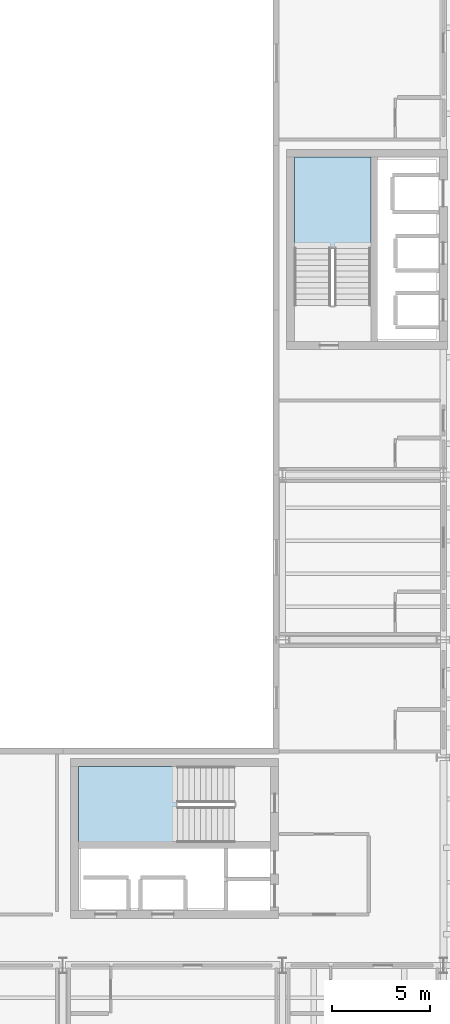
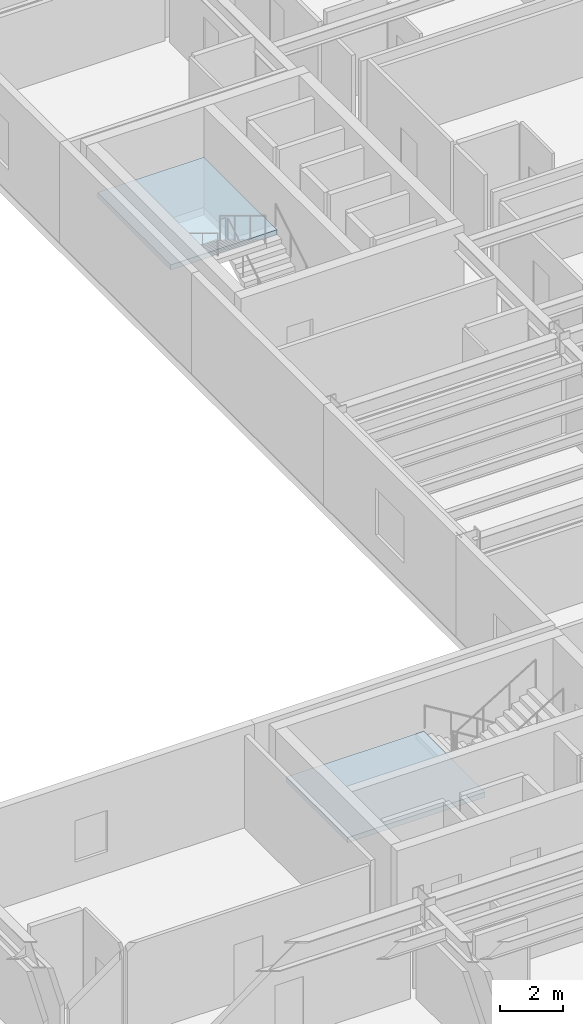
# One storey, part 28 of 59: 2 slabs, 2 elements without a shape of their own.
"""IFC4 building model written with IfcOpenShell, lengths in metres."""

from ifc_helpers import new_model, si_unit, direction, frame, origin, place, context, subcontext, project, spatial, polyline, outline, extrude, material, layer, layer_set, type_object, element, aggregate, save


model = new_model("IFC4")

# Units and contexts
model_context = context("Model", 3, precision=1e-05, world=origin(), true_north=direction((0.0, 1.0)))
body_context = subcontext(model_context, "Body", "Model", "MODEL_VIEW")
ifc_project = project(units=[si_unit("LENGTHUNIT", "METRE"), si_unit("AREAUNIT", "SQUARE_METRE"), si_unit("VOLUMEUNIT", "CUBIC_METRE"), si_unit("PLANEANGLEUNIT", "RADIAN"), si_unit("MASSUNIT", "GRAM", prefix="KILO")], contexts=[model_context])

# Site, building, storey
site_placement = place(None, origin())
site = spatial("IfcSite", under=ifc_project, at=site_placement, CompositionType="ELEMENT")
building_placement = place(site_placement, origin())
building = spatial("IfcBuilding", under=site, at=building_placement, Name="Sollismere Congress Hotel", CompositionType="ELEMENT")
storey_placement = place(building_placement, frame((0.0, 0.0, 15.60009765625)))
storey = spatial("IfcBuildingStorey", under=building, at=storey_placement, Name="L03", CompositionType="ELEMENT", Elevation=15.60009765625)

# Stair, slab
ifc_material = material(Name="Concrete C40/50", Category="concrete")
stair_type = type_object("IfcStairType", Name="STR-DL-390", PredefinedType="HALF_TURN_STAIR", material=ifc_material)
stair_1_placement = place(storey_placement, origin())
stair_1 = element("IfcStair", 1, at=stair_1_placement, inside=storey, type_object=stair_type, Name="Protected exit stair ST-01-L03", PredefinedType="HALF_TURN_STAIR")
ifc_layer = layer(ifc_material, 0.199951171875, Name="Concrete C40/50")
ifc_layer_set = layer_set([ifc_layer], Name="Concrete C40/50")
slab_type = type_object("IfcSlabType", Name="SL-LND200", PredefinedType="LANDING", material=ifc_layer_set)
slab_1_placement = place(storey_placement, frame((0.0, 0.0, 1.75)))
slab_1 = element("IfcSlab", 2, at=slab_1_placement, type_object=slab_type, Name="Exit stair half-landing ST-01-L03-L1", PredefinedType="LANDING", context=body_context, shape_type="SweptSolid", body=[
    extrude(outline(polyline([(141.85009765625, 18.35009765625), (136.800048828125, 18.35009765625), (136.800048828125, 14.449951171875), (141.85009765625, 14.449951171875), (141.85009765625, 18.35009765625)])), origin(), (0.0, 0.0, 1.0), 0.199951171875),
])
aggregate(stair_1, [slab_1])

stair_2_placement = place(storey_placement, origin())
stair_2 = element("IfcStair", 3, at=stair_2_placement, inside=storey, type_object=stair_type, Name="Protected exit stair ST-03-L03", PredefinedType="HALF_TURN_STAIR")
slab_2_placement = place(storey_placement, frame((0.0, 0.0, 1.75)))
slab_2 = element("IfcSlab", 4, at=slab_2_placement, type_object=slab_type, Name="Exit stair half-landing ST-03-L03-L1", PredefinedType="LANDING", context=body_context, shape_type="SweptSolid", body=[
    extrude(outline(polyline([(151.699951171875, 44.75), (151.699951171875, 49.39990234375), (147.800048828125, 49.39990234375), (147.800048828125, 44.75), (151.699951171875, 44.75)])), origin(), (0.0, 0.0, 1.0), 0.199951171875),
])
aggregate(stair_2, [slab_2])

save(model, "model.ifc")
